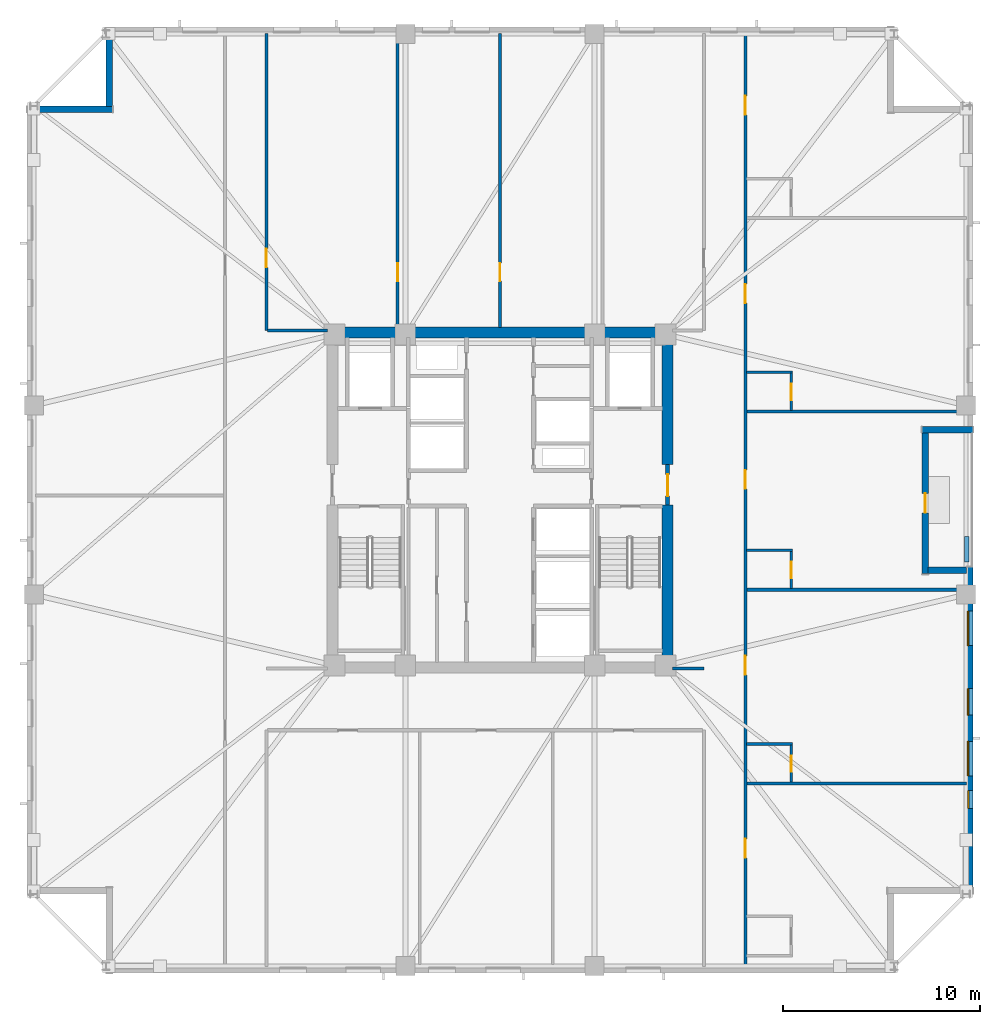
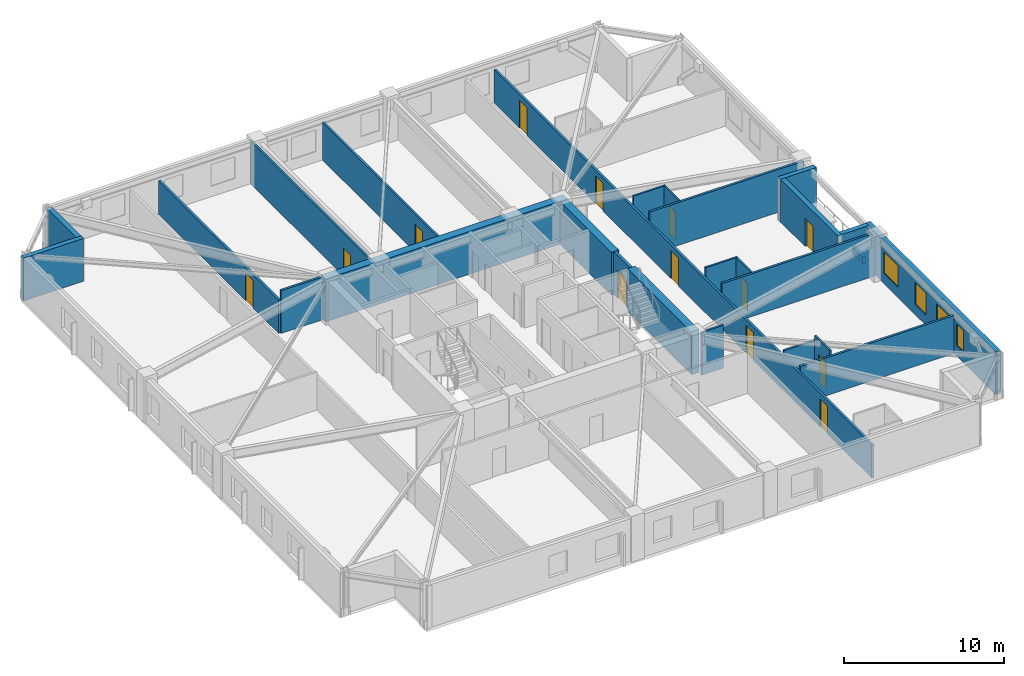
# One storey, part 4 of 10: 26 walls, 13 doors, 4 windows, 17 openings.
"""IFC4 building model written with IfcOpenShell, lengths in metres."""

from ifc_helpers import new_model, si_unit, direction, frame, frame_2d, origin, place, context, subcontext, project, spatial, rectangle, extrude, material, layer, layer_set, type_object, element, fill, save


model = new_model("IFC4")

# Units and contexts
model_context = context("Model", 3, precision=1e-05, world=origin(), true_north=direction((0.0, 1.0)))
body_context = subcontext(model_context, "Body", "Model", "MODEL_VIEW")
ifc_project = project(units=[si_unit("LENGTHUNIT", "METRE"), si_unit("AREAUNIT", "SQUARE_METRE"), si_unit("VOLUMEUNIT", "CUBIC_METRE"), si_unit("PLANEANGLEUNIT", "RADIAN"), si_unit("MASSUNIT", "GRAM", prefix="KILO")], contexts=[model_context])

# Site, building, storey
site_placement = place(None, origin())
site = spatial("IfcSite", under=ifc_project, at=site_placement, CompositionType="ELEMENT")
building_placement = place(site_placement, origin())
building = spatial("IfcBuilding", under=site, at=building_placement, Name="Cairnveth Concourse Tower", CompositionType="ELEMENT")
storey_placement = place(building_placement, frame((0.0, 0.0, 186.5)))
storey = spatial("IfcBuildingStorey", under=building, at=storey_placement, Name="L51", CompositionType="ELEMENT", Elevation=186.5)

# Wall, opening, door
ifc_material_1 = material(Name="Gypsum Plasterboard Partition", Category="gypsum")
ifc_layer_1 = layer(ifc_material_1, 0.159912109375)
ifc_layer_set_1 = layer_set([ifc_layer_1], Name="Gypsum Plasterboard Partition")
wall_type_1 = type_object("IfcWallType", Name="ACOUSTIC PARTY WALL 180", PredefinedType="PARTITIONING", material=ifc_layer_set_1)
wall_1_placement = place(storey_placement, frame((40.14990234375, 47.60009765625, 0.0), z_axis=(0.0, 0.0, 1.0), x_axis=(0.0, 1.0, 0.0)))
wall_1 = element("IfcWall", 1, at=wall_1_placement, inside=storey, type_object=wall_type_1, Name="Interior Wall IW-L51-039", PredefinedType="PARTITIONING", context=body_context, shape_type="SweptSolid", body=[
    extrude(rectangle(XDim=15.074951171875, YDim=0.159912109375, at=frame_2d((7.53759765625, 0.0))), origin(), (0.0, 0.0, 1.0), 2.554931640625),
])
opening_1_placement = place(wall_1_placement, frame((3.199951171875, 0.0, 0.0)))
opening_1 = element("IfcOpeningElement", 2, at=opening_1_placement, cuts=wall_1, Name="Opening ID11", PredefinedType="OPENING", context=body_context, shape_type="SweptSolid", body=[
    extrude(rectangle(XDim=0.9599609375, YDim=2.1201171875, at=frame_2d((0.47998046875, 1.06005859375))), frame((0.0, 0.08984375, 0.0), z_axis=(0.0, -1.0, 0.0), x_axis=(1.0, 0.0, 0.0)), (0.0, 0.0, 1.0), 0.179931640625),
])
ifc_material_2 = material(Name="Solid Core Hardwood Timber Leaf", Category="wood")
door_type_1 = type_object("IfcDoorType", Name="INTERIOR SINGLE DOOR 960X2150", OperationType="NOTDEFINED", PredefinedType="DOOR", material=ifc_material_2)
door_1_placement = place(opening_1_placement, origin())
door_1 = element("IfcDoor", 3, at=door_1_placement, inside=storey, type_object=door_type_1, Name="Interior Door DR-L51-016", OperationType="SINGLE_SWING_RIGHT", OverallHeight=2.1201171875, OverallWidth=0.9599609375, PredefinedType="DOOR", context=body_context, shape_type="SweptSolid", body=[
    extrude(rectangle(XDim=0.9599609375, YDim=2.1201171875, at=frame_2d((0.47998046875, 1.06005859375))), frame((0.0, 0.02490234375, 0.0), z_axis=(0.0, -1.0, 0.0), x_axis=(1.0, 0.0, 0.0)), (0.0, 0.0, 1.0), 0.050048828125),
])
fill(opening_1, door_1)

# Wall
wall_2_placement = place(storey_placement, frame((40.215087890625, 47.60009765625, 0.0), z_axis=(0.0, 0.0, 1.0), x_axis=(1.0, 0.0, 0.0)))
element("IfcWall", 4, at=wall_2_placement, inside=storey, type_object=wall_type_1, Name="Interior Wall IW-L51-041", PredefinedType="PARTITIONING", context=body_context, shape_type="SweptSolid", body=[
    extrude(rectangle(XDim=3.02001953125, YDim=0.159912109375, at=frame_2d((1.510009765625, 0.0))), origin(), (0.0, 0.0, 1.0), 3.280029296875),
])

# Wall, openings, doors
wall_3_placement = place(storey_placement, frame((64.449951171875, 15.324951171875, 0.0), z_axis=(0.0, 0.0, 1.0), x_axis=(0.0, 1.0, 0.0)))
wall_3 = element("IfcWall", 5, at=wall_3_placement, inside=storey, type_object=wall_type_1, Name="Interior Wall IW-L51-042", PredefinedType="PARTITIONING", context=body_context, shape_type="SweptSolid", body=[
    extrude(rectangle(XDim=47.35009765625, YDim=0.159912109375, at=frame_2d((23.675048828125, 0.0))), origin(), (0.0, 0.0, 1.0), 2.554931640625),
])
opening_2_placement = place(wall_3_placement, frame((5.514892578125, 0.0, 0.0)))
opening_2 = element("IfcOpeningElement", 6, at=opening_2_placement, cuts=wall_3, Name="Opening ID09", PredefinedType="OPENING", context=body_context, shape_type="SweptSolid", body=[
    extrude(rectangle(XDim=0.9599609375, YDim=2.14990234375, at=frame_2d((0.47998046875, 1.074951171875))), frame((0.0, 0.08984375, 0.0), z_axis=(0.0, -1.0, 0.0), x_axis=(1.0, 0.0, 0.0)), (0.0, 0.0, 1.0), 0.179931640625),
])
opening_3_placement = place(wall_3_placement, frame((14.80224609375, 0.0, 0.0)))
opening_3 = element("IfcOpeningElement", 7, at=opening_3_placement, cuts=wall_3, Name="Opening ID09", PredefinedType="OPENING", context=body_context, shape_type="SweptSolid", body=[
    extrude(rectangle(XDim=0.9599609375, YDim=2.14990234375, at=frame_2d((0.47998046875, 1.074951171875))), frame((0.0, 0.08984375, 0.0), z_axis=(0.0, -1.0, 0.0), x_axis=(1.0, 0.0, 0.0)), (0.0, 0.0, 1.0), 0.179931640625),
])
opening_4_placement = place(wall_3_placement, frame((24.234130859375, 0.0, 0.0)))
opening_4 = element("IfcOpeningElement", 8, at=opening_4_placement, cuts=wall_3, Name="Opening ID09", PredefinedType="OPENING", context=body_context, shape_type="SweptSolid", body=[
    extrude(rectangle(XDim=0.9599609375, YDim=2.14990234375, at=frame_2d((0.47998046875, 1.074951171875))), frame((0.0, 0.08984375, 0.0), z_axis=(0.0, -1.0, 0.0), x_axis=(1.0, 0.0, 0.0)), (0.0, 0.0, 1.0), 0.179931640625),
])
opening_5_placement = place(wall_3_placement, frame((33.666259765625, 0.0, 0.0)))
opening_5 = element("IfcOpeningElement", 9, at=opening_5_placement, cuts=wall_3, Name="Opening ID09", PredefinedType="OPENING", context=body_context, shape_type="SweptSolid", body=[
    extrude(rectangle(XDim=0.9599609375, YDim=2.14990234375, at=frame_2d((0.47998046875, 1.074951171875))), frame((0.0, 0.08984375, 0.0), z_axis=(0.0, -1.0, 0.0), x_axis=(1.0, 0.0, 0.0)), (0.0, 0.0, 1.0), 0.179931640625),
])
opening_6_placement = place(wall_3_placement, frame((43.21435546875, 0.0, 0.0)))
opening_6 = element("IfcOpeningElement", 10, at=opening_6_placement, cuts=wall_3, Name="Opening ID09", PredefinedType="OPENING", context=body_context, shape_type="SweptSolid", body=[
    extrude(rectangle(XDim=0.9599609375, YDim=2.14990234375, at=frame_2d((0.47998046875, 1.074951171875))), frame((0.0, 0.08984375, 0.0), z_axis=(0.0, -1.0, 0.0), x_axis=(1.0, 0.0, 0.0)), (0.0, 0.0, 1.0), 0.179931640625),
])
door_type_2 = type_object("IfcDoorType", Name="HOTEL ENTRANCE DOOR 960X2150", OperationType="NOTDEFINED", PredefinedType="DOOR", material=ifc_material_2)
door_2_placement = place(opening_2_placement, origin())
door_2 = element("IfcDoor", 11, at=door_2_placement, inside=storey, type_object=door_type_2, Name="Hotel Room Door L51-E1", OperationType="SINGLE_SWING_RIGHT", OverallHeight=2.14990234375, OverallWidth=0.9599609375, PredefinedType="DOOR", context=body_context, shape_type="SweptSolid", body=[
    extrude(rectangle(XDim=0.9599609375, YDim=2.14990234375, at=frame_2d((0.47998046875, 1.074951171875))), frame((0.0, 0.02490234375, 0.0), z_axis=(0.0, -1.0, 0.0), x_axis=(1.0, 0.0, 0.0)), (0.0, 0.0, 1.0), 0.050048828125),
])
fill(opening_2, door_2)
door_3_placement = place(opening_3_placement, origin())
door_3 = element("IfcDoor", 12, at=door_3_placement, inside=storey, type_object=door_type_2, Name="Hotel Room Door L51-E2", OperationType="SINGLE_SWING_RIGHT", OverallHeight=2.14990234375, OverallWidth=0.9599609375, PredefinedType="DOOR", context=body_context, shape_type="SweptSolid", body=[
    extrude(rectangle(XDim=0.9599609375, YDim=2.14990234375, at=frame_2d((0.47998046875, 1.074951171875))), frame((0.0, 0.02490234375, 0.0), z_axis=(0.0, -1.0, 0.0), x_axis=(1.0, 0.0, 0.0)), (0.0, 0.0, 1.0), 0.050048828125),
])
fill(opening_3, door_3)
door_4_placement = place(opening_4_placement, origin())
door_4 = element("IfcDoor", 13, at=door_4_placement, inside=storey, type_object=door_type_2, Name="Hotel Room Door L51-E3", OperationType="SINGLE_SWING_RIGHT", OverallHeight=2.14990234375, OverallWidth=0.9599609375, PredefinedType="DOOR", context=body_context, shape_type="SweptSolid", body=[
    extrude(rectangle(XDim=0.9599609375, YDim=2.14990234375, at=frame_2d((0.47998046875, 1.074951171875))), frame((0.0, 0.02490234375, 0.0), z_axis=(0.0, -1.0, 0.0), x_axis=(1.0, 0.0, 0.0)), (0.0, 0.0, 1.0), 0.050048828125),
])
fill(opening_4, door_4)
door_5_placement = place(opening_5_placement, origin())
door_5 = element("IfcDoor", 14, at=door_5_placement, inside=storey, type_object=door_type_2, Name="Hotel Room Door L51-E4", OperationType="SINGLE_SWING_RIGHT", OverallHeight=2.14990234375, OverallWidth=0.9599609375, PredefinedType="DOOR", context=body_context, shape_type="SweptSolid", body=[
    extrude(rectangle(XDim=0.9599609375, YDim=2.14990234375, at=frame_2d((0.47998046875, 1.074951171875))), frame((0.0, 0.02490234375, 0.0), z_axis=(0.0, -1.0, 0.0), x_axis=(1.0, 0.0, 0.0)), (0.0, 0.0, 1.0), 0.050048828125),
])
fill(opening_5, door_5)
door_6_placement = place(opening_6_placement, origin())
door_6 = element("IfcDoor", 15, at=door_6_placement, inside=storey, type_object=door_type_2, Name="Hotel Room Door L51-E5", OperationType="SINGLE_SWING_RIGHT", OverallHeight=2.14990234375, OverallWidth=0.9599609375, PredefinedType="DOOR", context=body_context, shape_type="SweptSolid", body=[
    extrude(rectangle(XDim=0.9599609375, YDim=2.14990234375, at=frame_2d((0.47998046875, 1.074951171875))), frame((0.0, 0.02490234375, 0.0), z_axis=(0.0, -1.0, 0.0), x_axis=(1.0, 0.0, 0.0)), (0.0, 0.0, 1.0), 0.050048828125),
])
fill(opening_6, door_6)

# Walls
wall_4_placement = place(storey_placement, frame((64.530029296875, 24.61962890625, 0.0), z_axis=(0.0, 0.0, 1.0), x_axis=(1.0, 0.0, 0.0)))
element("IfcWall", 16, at=wall_4_placement, inside=storey, type_object=wall_type_1, Name="Interior Wall IW-L51-057", PredefinedType="PARTITIONING", context=body_context, shape_type="SweptSolid", body=[
    extrude(rectangle(XDim=11.14501953125, YDim=0.159912109375, at=frame_2d((5.572509765625, 0.0))), origin(), (0.0, 0.0, 1.0), 2.89599609375),
])
for number, where, z_axis, x_axis, name in (
    (17, (64.530029296875, 34.44482421875, 0.0), (0.0, 0.0, 1.0), (1.0, 0.0, 0.0), "Interior Wall IW-L51-060"),
    (18, (64.530029296875, 43.483642578125, 0.0), (0.0, 0.0, 1.0), (1.0, 0.0, 0.0), "Interior Wall IW-L51-063"),
):
    element("IfcWall", number, at=place(storey_placement, frame(where, z_axis=z_axis, x_axis=x_axis)), inside=storey, type_object=wall_type_1, Name=name, PredefinedType="PARTITIONING", context=body_context, shape_type="SweptSolid", body=[
        extrude(rectangle(XDim=11.14501953125, YDim=0.159912109375, at=frame_2d((5.572509765625, 0.0))), origin(), (0.0, 0.0, 1.0), 3.280029296875),
    ])
ifc_material_3 = material(Name="Concrete N80 (80 MPa)", Category="concrete")
ifc_layer_2 = layer(ifc_material_3, 0.550048828125)
ifc_layer_set_2 = layer_set([ifc_layer_2], Name="Concrete N80 (80 MPa)")
wall_type_2 = type_object("IfcWallType", Name="CORE SHEAR WALL 550", PredefinedType="SHEAR", material=ifc_layer_set_2)
wall_5_placement = place(storey_placement, frame((43.22509765625, 47.5, 0.0), z_axis=(0.0, 0.0, 1.0), x_axis=(1.0, 0.0, 0.0)))
element("IfcWall", 19, at=wall_5_placement, inside=storey, type_object=wall_type_2, Name="Core North Shear Wall L51", PredefinedType="SHEAR", context=body_context, shape_type="SweptSolid", body=[
    extrude(rectangle(XDim=17.5498046875, YDim=0.550048828125, at=frame_2d((8.77490234375, 0.0))), origin(), (0.0, 0.0, 1.0), 3.280029296875),
])
wall_6_placement = place(storey_placement, frame((60.5, 30.764892578125, 0.0), z_axis=(0.0, 0.0, 1.0), x_axis=(0.0, 1.0, 0.0)))
element("IfcWall", 20, at=wall_6_placement, inside=storey, type_object=wall_type_2, Name="Core East Shear Wall S L51", PredefinedType="SHEAR", context=body_context, shape_type="SweptSolid", body=[
    extrude(rectangle(XDim=7.985107421875, YDim=0.550048828125, at=frame_2d((3.99267578125, 0.0))), origin(), (0.0, 0.0, 1.0), 3.280029296875),
])
wall_7_placement = place(storey_placement, frame((60.5, 40.800048828125, 0.0), z_axis=(0.0, 0.0, 1.0), x_axis=(0.0, 1.0, 0.0)))
element("IfcWall", 21, at=wall_7_placement, inside=storey, type_object=wall_type_2, Name="Core East Shear Wall N L51", PredefinedType="SHEAR", context=body_context, shape_type="SweptSolid", body=[
    extrude(rectangle(XDim=6.43505859375, YDim=0.550048828125, at=frame_2d((3.217529296875, 0.0))), origin(), (0.0, 0.0, 1.0), 3.280029296875),
])

# Wall, opening, door
ifc_material_4 = material(Name="Concrete N50 (50 MPa)", Category="concrete")
ifc_layer_3 = layer(ifc_material_4, 0.199951171875)
ifc_layer_set_3 = layer_set([ifc_layer_3], Name="Concrete N50 (50 MPa)")
wall_type_3 = type_object("IfcWallType", Name="FIRE SHAFT WALL 200", PredefinedType="SOLIDWALL", material=ifc_layer_set_3)
wall_8_placement = place(storey_placement, frame((60.5, 38.75, 0.0), z_axis=(0.0, 0.0, 1.0), x_axis=(0.0, 1.0, 0.0)))
wall_8 = element("IfcWall", 22, at=wall_8_placement, inside=storey, type_object=wall_type_3, Name="Interior Wall IW-L51-020", PredefinedType="SOLIDWALL", context=body_context, shape_type="SweptSolid", body=[
    extrude(rectangle(XDim=2.050048828125, YDim=0.199951171875, at=frame_2d((1.02490234375, 0.0))), origin(), (0.0, 0.0, 1.0), 3.280029296875),
])
opening_7_placement = place(wall_8_placement, frame((0.449951171875, 0.0, 0.0)))
opening_7 = element("IfcOpeningElement", 23, at=opening_7_placement, cuts=wall_8, Name="Opening ID06", PredefinedType="OPENING", context=body_context, shape_type="SweptSolid", body=[
    extrude(rectangle(XDim=1.10009765625, YDim=2.14990234375, at=frame_2d((0.550048828125, 1.074951171875))), frame((0.0, 0.10986328125, 0.0), z_axis=(0.0, -1.0, 0.0), x_axis=(1.0, 0.0, 0.0)), (0.0, 0.0, 1.0), 0.219970703125),
])
ifc_material_5 = material(Name="Steel Grade 350", Category="steel")
door_type_3 = type_object("IfcDoorType", Name="FIRE CORRIDOR DOOR 1100X2150", OperationType="NOTDEFINED", PredefinedType="DOOR", material=ifc_material_5)
door_7_placement = place(opening_7_placement, origin())
door_7 = element("IfcDoor", 24, at=door_7_placement, inside=storey, type_object=door_type_3, Name="East Wing to FF Lobby Door L51", OperationType="SINGLE_SWING_RIGHT", OverallHeight=2.14990234375, OverallWidth=1.10009765625, PredefinedType="DOOR", context=body_context, shape_type="SweptSolid", body=[
    extrude(rectangle(XDim=1.10009765625, YDim=2.14990234375, at=frame_2d((0.550048828125, 1.074951171875))), frame((0.0, 0.02490234375, 0.0), z_axis=(0.0, -1.0, 0.0), x_axis=(1.0, 0.0, 0.0)), (0.0, 0.0, 1.0), 0.050048828125),
])
fill(opening_7, door_7)

# Wall
ifc_layer_4 = layer(ifc_material_1, 0.139892578125)
ifc_layer_set_4 = layer_set([ifc_layer_4], Name="Gypsum Plasterboard Partition")
wall_type_4 = type_object("IfcWallType", Name="GYPSUM STUD PARTITION 140", PredefinedType="PARTITIONING", material=ifc_layer_set_4)
wall_9_placement = place(storey_placement, frame((60.764892578125, 30.449951171875, 0.0), z_axis=(0.0, 0.0, 1.0), x_axis=(1.0, 0.0, 0.0)))
element("IfcWall", 25, at=wall_9_placement, inside=storey, type_object=wall_type_4, Name="Interior Wall IW-L51-045", PredefinedType="PARTITIONING", context=body_context, shape_type="SweptSolid", body=[
    extrude(rectangle(XDim=1.585205078125, YDim=0.139892578125, at=frame_2d((0.79248046875, 0.0))), origin(), (0.0, 0.0, 1.0), 3.280029296875),
])

# Wall, opening, door
wall_10_placement = place(storey_placement, frame((46.800048828125, 47.760009765625, 0.0), z_axis=(0.0, 0.0, 1.0), x_axis=(0.0, 1.0, 0.0)))
wall_10 = element("IfcWall", 26, at=wall_10_placement, inside=storey, type_object=wall_type_4, Name="Interior Wall IW-L51-048", PredefinedType="PARTITIONING", context=body_context, shape_type="SweptSolid", body=[
    extrude(rectangle(XDim=14.9150390625, YDim=0.139892578125, at=frame_2d((7.45751953125, 0.0))), origin(), (0.0, 0.0, 1.0), 3.280029296875),
])
opening_8_placement = place(wall_10_placement, frame((2.340087890625, 0.0, 0.0)))
opening_8 = element("IfcOpeningElement", 27, at=opening_8_placement, cuts=wall_10, Name="Opening ID15", PredefinedType="OPENING", context=body_context, shape_type="SweptSolid", body=[
    extrude(rectangle(XDim=0.919921875, YDim=2.1201171875, at=frame_2d((0.4599609375, 1.06005859375))), frame((0.0, 0.079833984375, 0.0), z_axis=(0.0, -1.0, 0.0), x_axis=(1.0, 0.0, 0.0)), (0.0, 0.0, 1.0), 0.159912109375),
])
door_type_4 = type_object("IfcDoorType", Name="INTERIOR SINGLE DOOR 920X2100", OperationType="NOTDEFINED", PredefinedType="DOOR", material=ifc_material_2)
door_8_placement = place(opening_8_placement, origin())
door_8 = element("IfcDoor", 28, at=door_8_placement, inside=storey, type_object=door_type_4, Name="Interior Door DR-L51-017", OperationType="SINGLE_SWING_LEFT", OverallHeight=2.1201171875, OverallWidth=0.919921875, PredefinedType="DOOR", context=body_context, shape_type="SweptSolid", body=[
    extrude(rectangle(XDim=0.919921875, YDim=2.1201171875, at=frame_2d((0.4599609375, 1.06005859375))), frame((0.0, 0.02490234375, 0.0), z_axis=(0.0, -1.0, 0.0), x_axis=(1.0, 0.0, 0.0)), (0.0, 0.0, 1.0), 0.050048828125),
])
fill(opening_8, door_8)

wall_11_placement = place(storey_placement, frame((52.0, 47.760009765625, 0.0), z_axis=(0.0, 0.0, 1.0), x_axis=(0.0, 1.0, 0.0)))
wall_11 = element("IfcWall", 29, at=wall_11_placement, inside=storey, type_object=wall_type_4, Name="Interior Wall IW-L51-049", PredefinedType="PARTITIONING", context=body_context, shape_type="SweptSolid", body=[
    extrude(rectangle(XDim=14.9150390625, YDim=0.139892578125, at=frame_2d((7.45751953125, 0.0))), origin(), (0.0, 0.0, 1.0), 2.89599609375),
])
opening_9_placement = place(wall_11_placement, frame((2.340087890625, 0.0, 0.0)))
opening_9 = element("IfcOpeningElement", 30, at=opening_9_placement, cuts=wall_11, Name="Opening ID15", PredefinedType="OPENING", context=body_context, shape_type="SweptSolid", body=[
    extrude(rectangle(XDim=0.919921875, YDim=2.1201171875, at=frame_2d((0.4599609375, 1.06005859375))), frame((0.0, 0.079833984375, 0.0), z_axis=(0.0, -1.0, 0.0), x_axis=(1.0, 0.0, 0.0)), (0.0, 0.0, 1.0), 0.159912109375),
])
door_9_placement = place(opening_9_placement, origin())
door_9 = element("IfcDoor", 31, at=door_9_placement, inside=storey, type_object=door_type_4, Name="Interior Door DR-L51-018", OperationType="SINGLE_SWING_RIGHT", OverallHeight=2.1201171875, OverallWidth=0.919921875, PredefinedType="DOOR", context=body_context, shape_type="SweptSolid", body=[
    extrude(rectangle(XDim=0.919921875, YDim=2.1201171875, at=frame_2d((0.4599609375, 1.06005859375))), frame((0.0, 0.02490234375, 0.0), z_axis=(0.0, -1.0, 0.0), x_axis=(1.0, 0.0, 0.0)), (0.0, 0.0, 1.0), 0.050048828125),
])
fill(opening_9, door_9)

# Walls
ifc_material_6 = material(Name="Dressed Melbourne Bluestone Cladding", Category="masonry")
ifc_layer_5 = layer(ifc_material_6, 0.219970703125)
ifc_layer_set_5 = layer_set([ifc_layer_5], Name="Dressed Melbourne Bluestone Cladding")
wall_type_5 = type_object("IfcWallType", Name="TERRACE PLANTER CURB WALL 220", PredefinedType="PARAPET", material=ifc_layer_set_5)
wall_12_placement = place(storey_placement, frame((75.679931640625, 35.85009765625, 0.0), z_axis=(0.0, 0.0, 1.0), x_axis=(0.0, 1.0, 0.0)))
element("IfcWall", 32, at=wall_12_placement, inside=storey, type_object=wall_type_5, Name="Exterior Wall PLNT-L51-TERR", PredefinedType="PARAPET", context=body_context, shape_type="SweptSolid", body=[
    extrude(rectangle(XDim=1.2998046875, YDim=0.219970703125, at=frame_2d((0.64990234375, 0.0))), origin(), (0.0, 0.0, 1.0), 0.550048828125),
])
ifc_layer_6 = layer(ifc_material_1, 0.1298828125)
ifc_layer_set_6 = layer_set([ifc_layer_6], Name="Gypsum Plasterboard Partition")
wall_type_6 = type_object("IfcWallType", Name="WET AREA PARTITION 140", PredefinedType="PLUMBINGWALL", material=ifc_layer_set_6)
wall_13_placement = place(storey_placement, frame((64.514892578125, 26.61962890625, 0.0), z_axis=(0.0, 0.0, 1.0), x_axis=(1.0, 0.0, 0.0)))
element("IfcWall", 33, at=wall_13_placement, inside=storey, type_object=wall_type_6, Name="Interior Wall IW-L51-058", PredefinedType="PLUMBINGWALL", context=body_context, shape_type="SweptSolid", body=[
    extrude(rectangle(XDim=2.315185546875, YDim=0.1298828125, at=frame_2d((1.15771484375, 0.0))), origin(), (0.0, 0.0, 1.0), 2.89599609375),
])

# Wall, opening, door
wall_14_placement = place(storey_placement, frame((66.780029296875, 24.6845703125, 0.0), z_axis=(0.0, 0.0, 1.0), x_axis=(0.0, 1.0, 0.0)))
wall_14 = element("IfcWall", 34, at=wall_14_placement, inside=storey, type_object=wall_type_6, Name="Interior Wall IW-L51-059", PredefinedType="PLUMBINGWALL", context=body_context, shape_type="SweptSolid", body=[
    extrude(rectangle(XDim=1.885009765625, YDim=0.1298828125, at=frame_2d((0.9423828125, 0.0))), origin(), (0.0, 0.0, 1.0), 3.280029296875),
])
opening_10_placement = place(wall_14_placement, frame((0.52490234375, 0.0, 0.0)))
opening_10 = element("IfcOpeningElement", 35, at=opening_10_placement, cuts=wall_14, Name="Opening ID22", PredefinedType="OPENING", context=body_context, shape_type="SweptSolid", body=[
    extrude(rectangle(XDim=0.820068359375, YDim=2.10009765625, at=frame_2d((0.41015625, 1.050048828125))), frame((0.0, 0.074951171875, 0.0), z_axis=(0.0, -1.0, 0.0), x_axis=(1.0, 0.0, 0.0)), (0.0, 0.0, 1.0), 0.14990234375),
])
door_type_5 = type_object("IfcDoorType", Name="INTERIOR WC DOOR 820X2100", OperationType="NOTDEFINED", PredefinedType="DOOR", material=ifc_material_2)
door_10_placement = place(opening_10_placement, origin())
door_10 = element("IfcDoor", 36, at=door_10_placement, inside=storey, type_object=door_type_5, Name="En-Suite Door L51-E2", OperationType="SINGLE_SWING_LEFT", OverallHeight=2.10009765625, OverallWidth=0.820068359375, PredefinedType="DOOR", context=body_context, shape_type="SweptSolid", body=[
    extrude(rectangle(XDim=0.820068359375, YDim=2.10009765625, at=frame_2d((0.41015625, 1.050048828125))), frame((0.0, 0.02490234375, 0.0), z_axis=(0.0, -1.0, 0.0), x_axis=(1.0, 0.0, 0.0)), (0.0, 0.0, 1.0), 0.050048828125),
])
fill(opening_10, door_10)

# Wall
wall_15_placement = place(storey_placement, frame((64.514892578125, 36.44482421875, 0.0), z_axis=(0.0, 0.0, 1.0), x_axis=(1.0, 0.0, 0.0)))
element("IfcWall", 37, at=wall_15_placement, inside=storey, type_object=wall_type_6, Name="Interior Wall IW-L51-061", PredefinedType="PLUMBINGWALL", context=body_context, shape_type="SweptSolid", body=[
    extrude(rectangle(XDim=2.315185546875, YDim=0.1298828125, at=frame_2d((1.15771484375, 0.0))), origin(), (0.0, 0.0, 1.0), 3.280029296875),
])

# Wall, opening, door
wall_16_placement = place(storey_placement, frame((66.780029296875, 34.510009765625, 0.0), z_axis=(0.0, 0.0, 1.0), x_axis=(0.0, 1.0, 0.0)))
wall_16 = element("IfcWall", 38, at=wall_16_placement, inside=storey, type_object=wall_type_6, Name="Interior Wall IW-L51-062", PredefinedType="PLUMBINGWALL", context=body_context, shape_type="SweptSolid", body=[
    extrude(rectangle(XDim=1.885009765625, YDim=0.1298828125, at=frame_2d((0.9423828125, 0.0))), origin(), (0.0, 0.0, 1.0), 3.280029296875),
])
opening_11_placement = place(wall_16_placement, frame((0.52490234375, 0.0, 0.0)))
opening_11 = element("IfcOpeningElement", 39, at=opening_11_placement, cuts=wall_16, Name="Opening ID22", PredefinedType="OPENING", context=body_context, shape_type="SweptSolid", body=[
    extrude(rectangle(XDim=0.820068359375, YDim=2.10009765625, at=frame_2d((0.41015625, 1.050048828125))), frame((0.0, 0.074951171875, 0.0), z_axis=(0.0, -1.0, 0.0), x_axis=(1.0, 0.0, 0.0)), (0.0, 0.0, 1.0), 0.14990234375),
])
door_11_placement = place(opening_11_placement, origin())
door_11 = element("IfcDoor", 40, at=door_11_placement, inside=storey, type_object=door_type_5, Name="En-Suite Door L51-E3", OperationType="SINGLE_SWING_LEFT", OverallHeight=2.10009765625, OverallWidth=0.820068359375, PredefinedType="DOOR", context=body_context, shape_type="SweptSolid", body=[
    extrude(rectangle(XDim=0.820068359375, YDim=2.10009765625, at=frame_2d((0.41015625, 1.050048828125))), frame((0.0, 0.02490234375, 0.0), z_axis=(0.0, -1.0, 0.0), x_axis=(1.0, 0.0, 0.0)), (0.0, 0.0, 1.0), 0.050048828125),
])
fill(opening_11, door_11)

# Wall
wall_17_placement = place(storey_placement, frame((64.514892578125, 45.483642578125, 0.0), z_axis=(0.0, 0.0, 1.0), x_axis=(1.0, 0.0, 0.0)))
element("IfcWall", 41, at=wall_17_placement, inside=storey, type_object=wall_type_6, Name="Interior Wall IW-L51-064", PredefinedType="PLUMBINGWALL", context=body_context, shape_type="SweptSolid", body=[
    extrude(rectangle(XDim=2.315185546875, YDim=0.1298828125, at=frame_2d((1.15771484375, 0.0))), origin(), (0.0, 0.0, 1.0), 3.280029296875),
])

# Wall, opening, door
wall_18_placement = place(storey_placement, frame((66.780029296875, 43.548583984375, 0.0), z_axis=(0.0, 0.0, 1.0), x_axis=(0.0, 1.0, 0.0)))
wall_18 = element("IfcWall", 42, at=wall_18_placement, inside=storey, type_object=wall_type_6, Name="Interior Wall IW-L51-065", PredefinedType="PLUMBINGWALL", context=body_context, shape_type="SweptSolid", body=[
    extrude(rectangle(XDim=1.885009765625, YDim=0.1298828125, at=frame_2d((0.9423828125, 0.0))), origin(), (0.0, 0.0, 1.0), 3.280029296875),
])
opening_12_placement = place(wall_18_placement, frame((0.52490234375, 0.0, 0.0)))
opening_12 = element("IfcOpeningElement", 43, at=opening_12_placement, cuts=wall_18, Name="Opening ID22", PredefinedType="OPENING", context=body_context, shape_type="SweptSolid", body=[
    extrude(rectangle(XDim=0.820068359375, YDim=2.10009765625, at=frame_2d((0.41015625, 1.050048828125))), frame((0.0, 0.074951171875, 0.0), z_axis=(0.0, -1.0, 0.0), x_axis=(1.0, 0.0, 0.0)), (0.0, 0.0, 1.0), 0.14990234375),
])
door_12_placement = place(opening_12_placement, origin())
door_12 = element("IfcDoor", 44, at=door_12_placement, inside=storey, type_object=door_type_5, Name="En-Suite Door L51-E4", OperationType="SINGLE_SWING_LEFT", OverallHeight=2.10009765625, OverallWidth=0.820068359375, PredefinedType="DOOR", context=body_context, shape_type="SweptSolid", body=[
    extrude(rectangle(XDim=0.820068359375, YDim=2.10009765625, at=frame_2d((0.41015625, 1.050048828125))), frame((0.0, 0.02490234375, 0.0), z_axis=(0.0, -1.0, 0.0), x_axis=(1.0, 0.0, 0.0)), (0.0, 0.0, 1.0), 0.050048828125),
])
fill(opening_12, door_12)

# Wall, openings, windows
ifc_material_7 = material(Name="Hawthorn Red-Ochre Fired Clay Brick Masonry", Category="masonry")
ifc_layer_7 = layer(ifc_material_7, 0.340087890625)
ifc_layer_set_7 = layer_set([ifc_layer_7], Name="Hawthorn Red-Ochre Fired Clay Brick Masonry")
wall_type_7 = type_object("IfcWallType", Name="ZONE 2 BRICK PIER SPANDREL WALL 340", PredefinedType="SOLIDWALL", material=ifc_layer_set_7)
wall_19_placement = place(storey_placement, frame((75.830078125, 35.60009765625, 0.0), z_axis=(0.0, 0.0, 1.0), x_axis=(0.0, -1.0, 0.0)))
wall_19 = element("IfcWall", 45, at=wall_19_placement, inside=storey, type_object=wall_type_7, Name="Exterior Wall EW-L51-S00", PredefinedType="SOLIDWALL", context=body_context, shape_type="SweptSolid", body=[
    extrude(rectangle(XDim=16.281982421875, YDim=0.340087890625, at=frame_2d((8.14111328125, 0.0))), origin(), (0.0, 0.0, 1.0), 3.280029296875),
])
opening_13_placement = place(wall_19_placement, frame((2.23876953125, 0.0, 0.800048828125)))
opening_13 = element("IfcOpeningElement", 46, at=opening_13_placement, cuts=wall_19, Name="Opening W06", PredefinedType="OPENING", context=body_context, shape_type="SweptSolid", body=[
    extrude(rectangle(XDim=1.75, YDim=1.659912109375, at=frame_2d((0.875, 0.830078125))), frame((0.0, 0.179931640625, 0.0), z_axis=(0.0, -1.0, 0.0), x_axis=(1.0, 0.0, 0.0)), (0.0, 0.0, 1.0), 0.360107421875),
])
opening_14_placement = place(wall_19_placement, frame((6.166015625, 0.0, 0.800048828125)))
opening_14 = element("IfcOpeningElement", 47, at=opening_14_placement, cuts=wall_19, Name="Opening W02", PredefinedType="OPENING", context=body_context, shape_type="SweptSolid", body=[
    extrude(rectangle(XDim=1.35009765625, YDim=1.659912109375, at=frame_2d((0.675048828125, 0.830078125))), frame((0.0, 0.179931640625, 0.0), z_axis=(0.0, -1.0, 0.0), x_axis=(1.0, 0.0, 0.0)), (0.0, 0.0, 1.0), 0.360107421875),
])
opening_15_placement = place(wall_19_placement, frame((8.84326171875, 0.0, 0.800048828125)))
opening_15 = element("IfcOpeningElement", 48, at=opening_15_placement, cuts=wall_19, Name="Opening W06", PredefinedType="OPENING", context=body_context, shape_type="SweptSolid", body=[
    extrude(rectangle(XDim=1.75, YDim=1.659912109375, at=frame_2d((0.875, 0.830078125))), frame((0.0, 0.179931640625, 0.0), z_axis=(0.0, -1.0, 0.0), x_axis=(1.0, 0.0, 0.0)), (0.0, 0.0, 1.0), 0.360107421875),
])
opening_16_placement = place(wall_19_placement, frame((11.35009765625, 0.0, 0.800048828125)))
opening_16 = element("IfcOpeningElement", 49, at=opening_16_placement, cuts=wall_19, Name="Opening W13", PredefinedType="OPENING", context=body_context, shape_type="SweptSolid", body=[
    extrude(rectangle(XDim=0.89990234375, YDim=1.659912109375, at=frame_2d((0.449951171875, 0.830078125))), frame((0.0, 0.179931640625, 0.0), z_axis=(0.0, -1.0, 0.0), x_axis=(1.0, 0.0, 0.0)), (0.0, 0.0, 1.0), 0.360107421875),
])
ifc_material_8 = material(Name="Double Glazed Low-E Clear Glass", Category="glass")
window_type_1 = type_object("IfcWindowType", Name="DEEP-SET BEDROOM LANCET WINDOW 900X1750", PartitioningType="DOUBLE_PANEL_VERTICAL", PredefinedType="WINDOW", material=ifc_material_8)
window_1_placement = place(opening_16_placement, origin())
window_1 = element("IfcWindow", 50, at=window_1_placement, inside=storey, type_object=window_type_1, Name="Dwelling Lancet Window L51-DW1", OverallHeight=1.659912109375, OverallWidth=0.89990234375, PartitioningType="SINGLE_PANEL", PredefinedType="WINDOW", context=body_context, shape_type="SweptSolid", body=[
    extrude(rectangle(XDim=0.89990234375, YDim=1.659912109375, at=frame_2d((0.449951171875, 0.830078125))), frame((0.0, -0.0400390625, 0.0), z_axis=(0.0, -1.0, 0.0), x_axis=(1.0, 0.0, 0.0)), (0.0, 0.0, 1.0), 0.06005859375),
])
fill(opening_16, window_1)
window_type_2 = type_object("IfcWindowType", Name="DEEP-SET GOTHIC LANCET WINDOW 1350X1800", PartitioningType="DOUBLE_PANEL_VERTICAL", PredefinedType="WINDOW", material=ifc_material_8)
window_2_placement = place(opening_14_placement, origin())
window_2 = element("IfcWindow", 51, at=window_2_placement, inside=storey, type_object=window_type_2, Name="Gothic Lancet Window L51-0-2", OverallHeight=1.659912109375, OverallWidth=1.35009765625, PartitioningType="SINGLE_PANEL", PredefinedType="WINDOW", context=body_context, shape_type="SweptSolid", body=[
    extrude(rectangle(XDim=1.35009765625, YDim=1.659912109375, at=frame_2d((0.675048828125, 0.830078125))), frame((0.0, -0.050048828125, 0.0), z_axis=(0.0, -1.0, 0.0), x_axis=(1.0, 0.0, 0.0)), (0.0, 0.0, 1.0), 0.06005859375),
])
fill(opening_14, window_2)
window_type_3 = type_object("IfcWindowType", Name="DEEP-SET HOTEL SUITE WINDOW 1750X1800", PartitioningType="DOUBLE_PANEL_VERTICAL", PredefinedType="WINDOW", material=ifc_material_8)
window_3_placement = place(opening_13_placement, origin())
window_3 = element("IfcWindow", 52, at=window_3_placement, inside=storey, type_object=window_type_3, Name="Gothic Lancet Window L51-0-1", OverallHeight=1.659912109375, OverallWidth=1.75, PartitioningType="SINGLE_PANEL", PredefinedType="WINDOW", context=body_context, shape_type="SweptSolid", body=[
    extrude(rectangle(XDim=1.75, YDim=1.659912109375, at=frame_2d((0.875, 0.830078125))), frame((0.0, -0.050048828125, 0.0), z_axis=(0.0, -1.0, 0.0), x_axis=(1.0, 0.0, 0.0)), (0.0, 0.0, 1.0), 0.06005859375),
])
fill(opening_13, window_3)
window_4_placement = place(opening_15_placement, origin())
window_4 = element("IfcWindow", 53, at=window_4_placement, inside=storey, type_object=window_type_3, Name="Gothic Lancet Window L51-0-3", OverallHeight=1.659912109375, OverallWidth=1.75, PartitioningType="SINGLE_PANEL", PredefinedType="WINDOW", context=body_context, shape_type="SweptSolid", body=[
    extrude(rectangle(XDim=1.75, YDim=1.659912109375, at=frame_2d((0.875, 0.830078125))), frame((0.0, -0.050048828125, 0.0), z_axis=(0.0, -1.0, 0.0), x_axis=(1.0, 0.0, 0.0)), (0.0, 0.0, 1.0), 0.06005859375),
])
fill(opening_15, window_4)

# Walls
wall_20_placement = place(storey_placement, frame((28.0, 58.830078125, 0.0), z_axis=(0.0, 0.0, 1.0), x_axis=(1.0, 0.0, 0.0)))
element("IfcWall", 54, at=wall_20_placement, inside=storey, type_object=wall_type_7, Name="Exterior Wall EW-L51-S07", PredefinedType="SOLIDWALL", context=body_context, shape_type="SweptSolid", body=[
    extrude(rectangle(XDim=4.340087890625, YDim=0.340087890625, at=frame_2d((2.169921875, 0.0))), origin(), (0.0, 0.0, 1.0), 3.280029296875),
])
wall_21_placement = place(storey_placement, frame((32.169921875, 58.97802734375, 0.0), z_axis=(0.0, 0.0, 1.0), x_axis=(0.0, 1.0, 0.0)))
element("IfcWall", 55, at=wall_21_placement, inside=storey, type_object=wall_type_7, Name="Exterior Wall EW-L51-S08", PredefinedType="SOLIDWALL", context=body_context, shape_type="SweptSolid", body=[
    extrude(rectangle(XDim=3.703857421875, YDim=0.340087890625, at=frame_2d((1.85205078125, 0.0))), origin(), (0.0, 0.0, 1.0), 3.280029296875),
])
wall_22_placement = place(storey_placement, frame((76.0, 42.570068359375, 0.0), z_axis=(0.0, 0.0, 1.0), x_axis=(-1.0, 0.0, 0.0)))
element("IfcWall", 56, at=wall_22_placement, inside=storey, type_object=wall_type_7, Name="Exterior Wall EW-L51-S13", PredefinedType="SOLIDWALL", context=body_context, shape_type="SweptSolid", body=[
    extrude(rectangle(XDim=2.590087890625, YDim=0.340087890625, at=frame_2d((1.294921875, 0.0))), origin(), (0.0, 0.0, 1.0), 3.280029296875),
])

# Wall, opening, door
wall_23_placement = place(storey_placement, frame((73.580078125, 42.422119140625, 0.0), z_axis=(0.0, 0.0, 1.0), x_axis=(0.0, -1.0, 0.0)))
wall_23 = element("IfcWall", 57, at=wall_23_placement, inside=storey, type_object=wall_type_7, Name="Exterior Wall EW-L51-S14", PredefinedType="SOLIDWALL", context=body_context, shape_type="SweptSolid", body=[
    extrude(rectangle(XDim=7.162109375, YDim=0.340087890625, at=frame_2d((3.5810546875, 0.0))), origin(), (0.0, 0.0, 1.0), 3.280029296875),
])
opening_17_placement = place(wall_23_placement, frame((3.0810546875, 0.0, 0.0)))
opening_17 = element("IfcOpeningElement", 58, at=opening_17_placement, cuts=wall_23, Name="Opening ED4", PredefinedType="OPENING", context=body_context, shape_type="SweptSolid", body=[
    extrude(rectangle(XDim=1.0, YDim=2.14990234375, at=frame_2d((0.5, 1.074951171875))), frame((0.0, 0.179931640625, 0.0), z_axis=(0.0, -1.0, 0.0), x_axis=(1.0, 0.0, 0.0)), (0.0, 0.0, 1.0), 0.360107421875),
])
ifc_material_9 = material(Name="Architectural Bronze Anodised Aluminium 6063-T6", Category="aluminium")
door_type_6 = type_object("IfcDoorType", Name="TERRACE GLAZED DOOR 1000X2150", OperationType="NOTDEFINED", PredefinedType="DOOR", material=ifc_material_9)
door_13_placement = place(opening_17_placement, origin())
door_13 = element("IfcDoor", 59, at=door_13_placement, inside=storey, type_object=door_type_6, Name="Spiral Terrace Door L51", OperationType="SINGLE_SWING_RIGHT", OverallHeight=2.14990234375, OverallWidth=1.0, PredefinedType="DOOR", context=body_context, shape_type="SweptSolid", body=[
    extrude(rectangle(XDim=1.0, YDim=2.14990234375, at=frame_2d((0.5, 1.074951171875))), frame((0.0, 0.02490234375, 0.0), z_axis=(0.0, -1.0, 0.0), x_axis=(1.0, 0.0, 0.0)), (0.0, 0.0, 1.0), 0.050048828125),
])
fill(opening_17, door_13)

# Wall
wall_24_placement = place(storey_placement, frame((73.72802734375, 35.429931640625, 0.0), z_axis=(0.0, 0.0, 1.0), x_axis=(1.0, 0.0, 0.0)))
element("IfcWall", 60, at=wall_24_placement, inside=storey, type_object=wall_type_7, Name="Exterior Wall EW-L51-S15", PredefinedType="SOLIDWALL", context=body_context, shape_type="SweptSolid", body=[
    extrude(rectangle(XDim=1.953857421875, YDim=0.340087890625, at=frame_2d((0.97705078125, 0.0))), origin(), (0.0, 0.0, 1.0), 3.280029296875),
])

save(model, "model.ifc")
